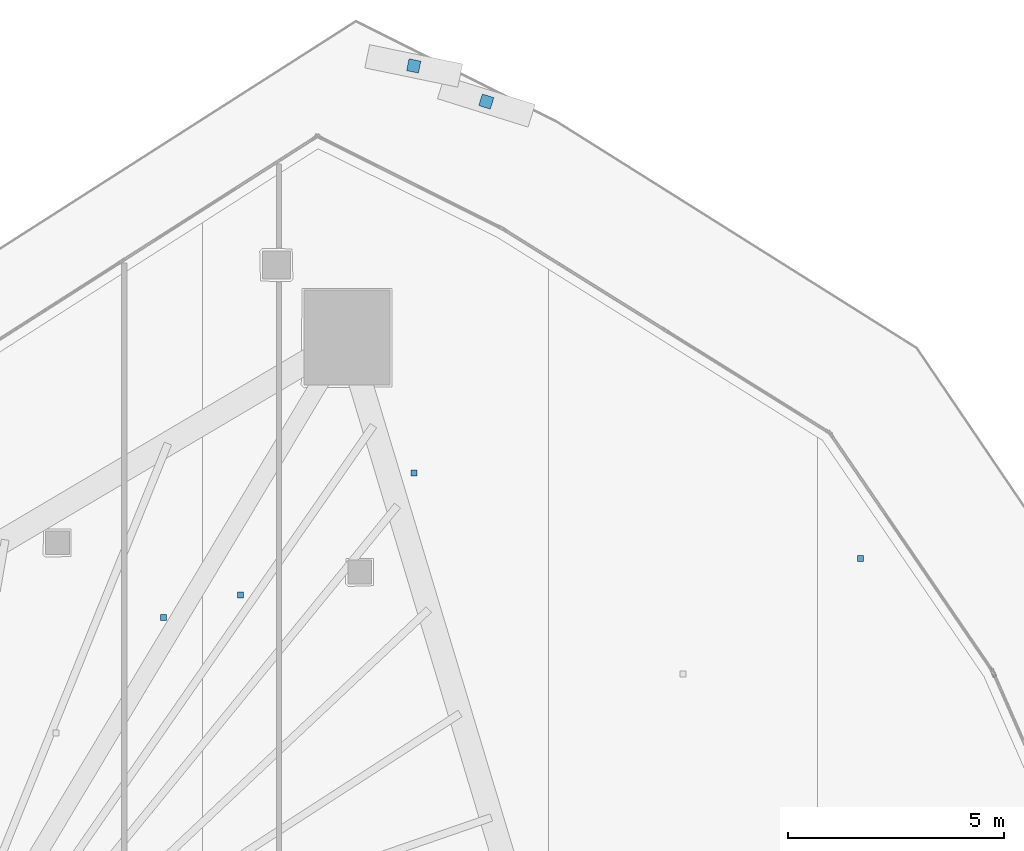
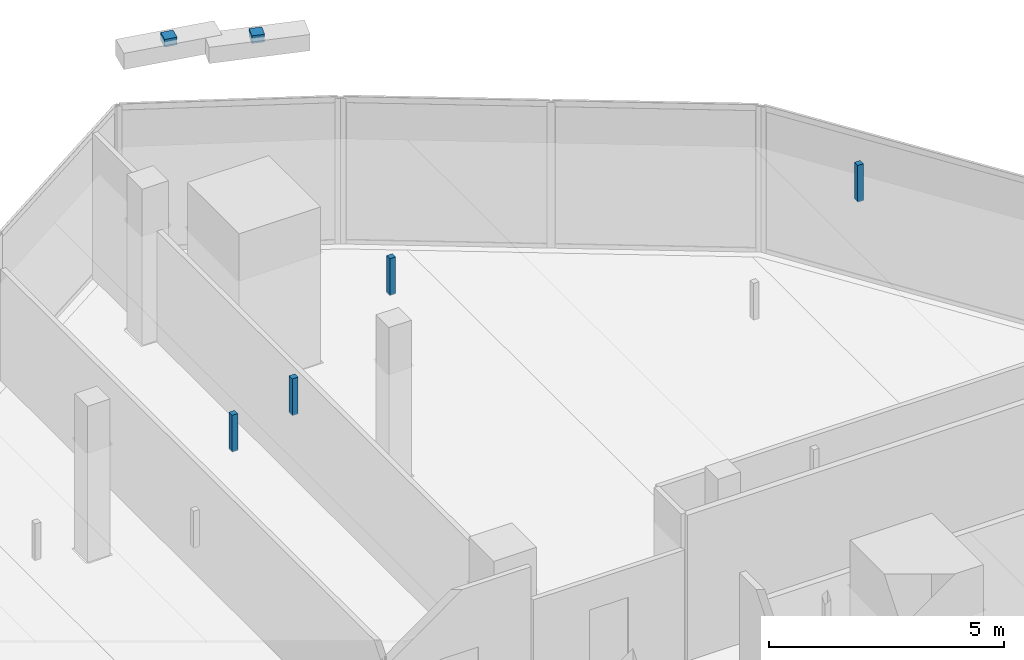
# One storey, part 31 of 39: 6 discrete accessories.
"""IFC4 building model written with IfcOpenShell, lengths in metres."""

from ifc_helpers import new_model, si_unit, direction, frame, origin, origin_2d, place, context, subcontext, project, spatial, rectangle, extrude, material, type_object, element, save


model = new_model("IFC4")

# Units and contexts
model_context = context("Model", 3, precision=1e-05, world=origin(), true_north=direction((0.0, 1.0)))
body_context = subcontext(model_context, "Body", "Model", "MODEL_VIEW")
ifc_project = project(units=[si_unit("LENGTHUNIT", "METRE"), si_unit("AREAUNIT", "SQUARE_METRE"), si_unit("VOLUMEUNIT", "CUBIC_METRE"), si_unit("PLANEANGLEUNIT", "RADIAN"), si_unit("MASSUNIT", "GRAM", prefix="KILO")], contexts=[model_context])

# Site, building, storey
site_placement = place(None, origin())
site = spatial("IfcSite", under=ifc_project, at=site_placement, CompositionType="ELEMENT")
building_placement = place(site_placement, origin())
building = spatial("IfcBuilding", under=site, at=building_placement, Name="Qorvath Tower", CompositionType="ELEMENT")
storey_placement = place(building_placement, frame((0.0, 0.0, 142.199951171875)))
storey = spatial("IfcBuildingStorey", under=building, at=storey_placement, Name="L32", CompositionType="ELEMENT", Elevation=142.199951171875)

# Discrete accessories
ifc_material = material(Name="Galvanised steel bracket", Category="steel")
discrete_accessory_type = type_object("IfcDiscreteAccessoryType", Name="DA-BRACKET", PredefinedType="BRACKET", material=ifc_material)
for number, where, z_axis, x_axis, name in (
    (1, (-12.1162109375, 30.716064453125, 3.64013671875), (0.0, 0.0, 1.0), (-0.954099302916, 0.299490434197, 0.0), "Louvre Wave Support Bracket L32-05"),
    (2, (-13.7978515625, 31.542236328125, 3.64013671875), (0.0, 0.0, 1.0), (-0.979215377421, 0.202823185611, 0.0), "Louvre Wave Support Bracket L32-06"),
):
    element("IfcDiscreteAccessory", number, at=place(storey_placement, frame(where, z_axis=z_axis, x_axis=x_axis)), inside=storey, type_object=discrete_accessory_type, Name=name, PredefinedType="NOTDEFINED", context=body_context, shape_type="SweptSolid", body=[
        extrude(rectangle(XDim=0.280029296875, YDim=0.280029296875, at=origin_2d()), origin(), (0.0, 0.0, 1.0), 0.199951171875),
    ])
for number, where, z_axis, x_axis, name in (
    (3, (-19.593017578125, 18.761962890625, 2.85986328125), (0.0, 0.0, 1.0), (1.0, 0.0, 0.0), "Acoustic Ceiling Suspension Hanger T1-L32-016"),
    (4, (-17.810302734375, 19.28955078125, 2.85986328125), (0.0, 0.0, 1.0), (1.0, 0.0, 0.0), "Acoustic Ceiling Suspension Hanger T1-L32-017"),
    (5, (-13.789794921875, 22.11083984375, 2.85986328125), (0.0, 0.0, 1.0), (1.0, 0.0, 0.0), "Acoustic Ceiling Suspension Hanger T1-L32-018"),
    (6, (-3.44921875, 20.129638671875, 2.85986328125), (0.0, 0.0, 1.0), (1.0, 0.0, 0.0), "Acoustic Ceiling Suspension Hanger T1-L32-020"),
):
    element("IfcDiscreteAccessory", number, at=place(storey_placement, frame(where, z_axis=z_axis, x_axis=x_axis)), inside=storey, type_object=discrete_accessory_type, Name=name, PredefinedType="NOTDEFINED", context=body_context, shape_type="SweptSolid", body=[
        extrude(rectangle(XDim=0.139892578125, YDim=0.139892578125, at=origin_2d()), origin(), (0.0, 0.0, 1.0), 0.949951171875),
    ])

save(model, "model.ifc")
